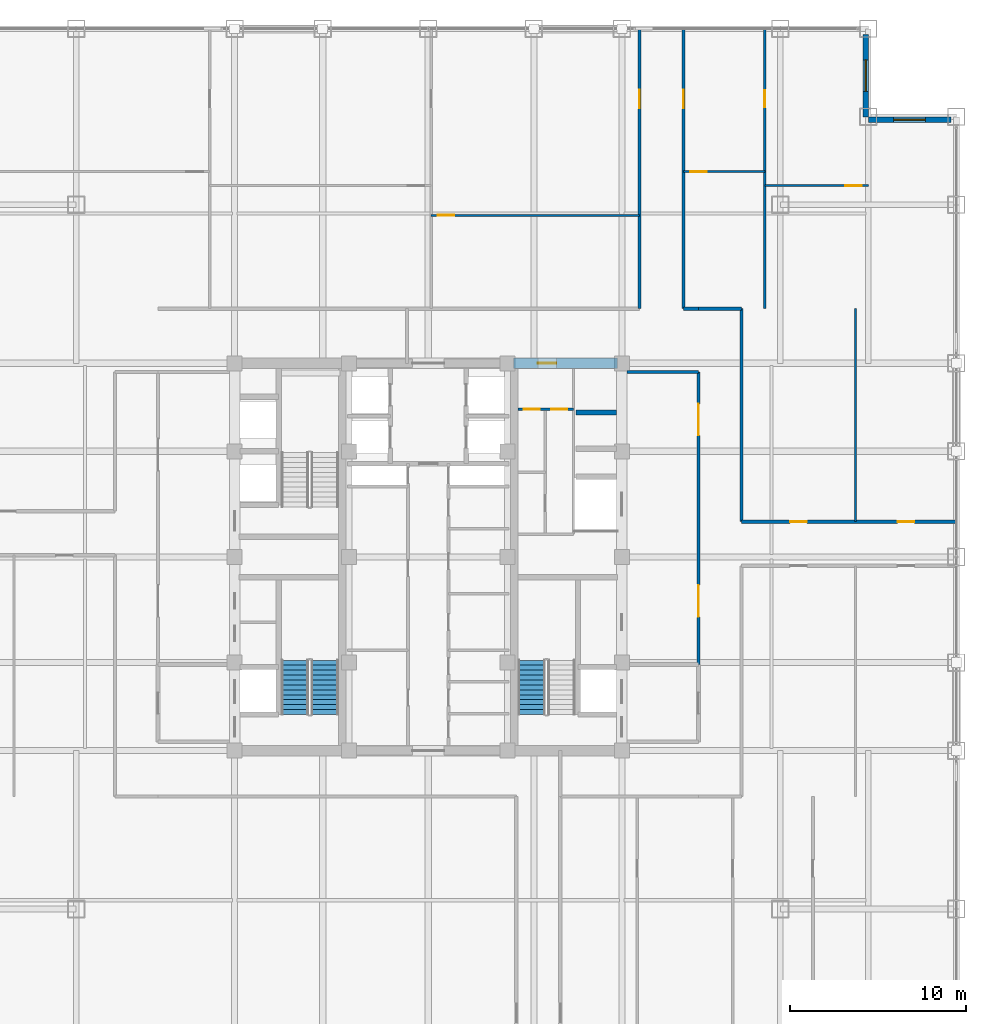
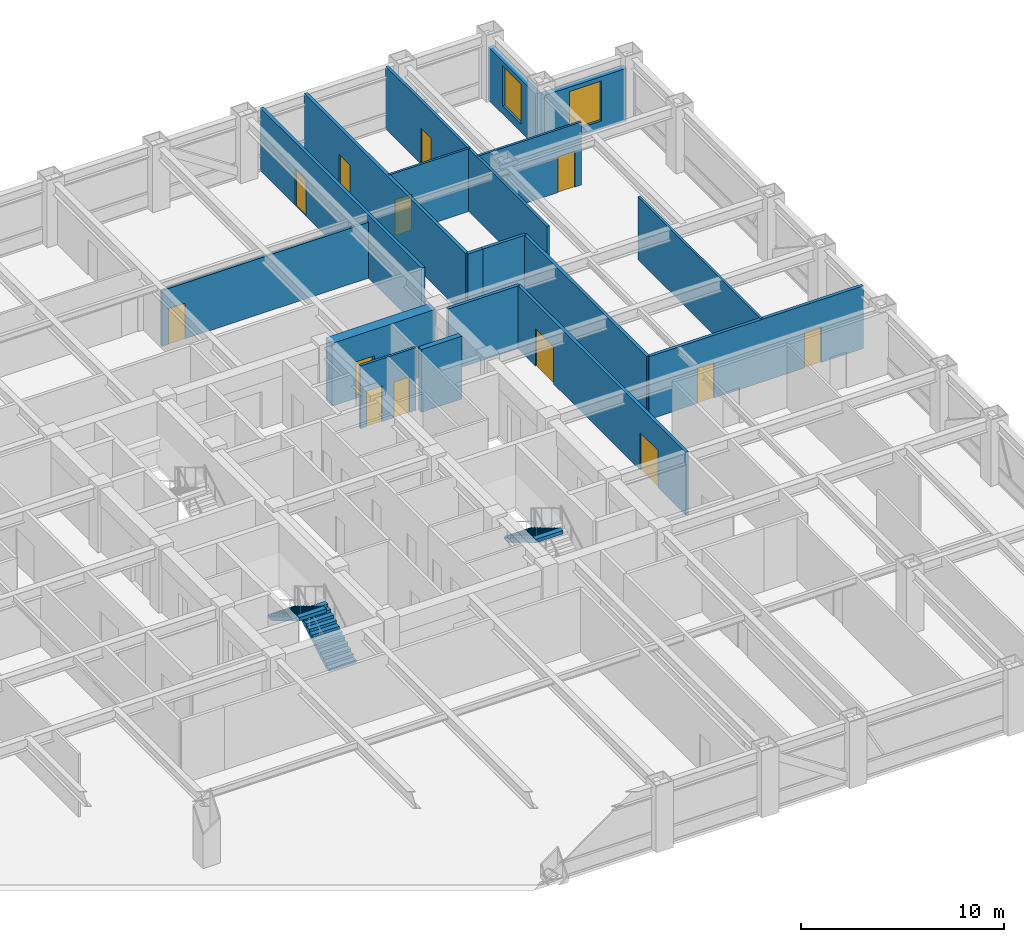
# One storey, part 23 of 25: 18 walls, 13 doors, 3 stair flights, 2 windows, 15 openings, 2 elements without a shape of their own.
"""IFC4 building model written with IfcOpenShell, lengths in metres."""

from ifc_helpers import new_model, si_unit, direction, frame, frame_2d, origin, place, context, subcontext, project, spatial, polyline, rectangle, outline, extrude, source, transform, mapped, material, layer, layer_set, type_object, element, fill, aggregate, save


model = new_model("IFC4")

# Units and contexts
model_context = context("Model", 3, precision=1e-05, world=origin(), true_north=direction((0.0, 1.0)))
body_context = subcontext(model_context, "Body", "Model", "MODEL_VIEW")
ifc_project = project(units=[si_unit("LENGTHUNIT", "METRE"), si_unit("AREAUNIT", "SQUARE_METRE"), si_unit("VOLUMEUNIT", "CUBIC_METRE"), si_unit("PLANEANGLEUNIT", "RADIAN"), si_unit("MASSUNIT", "GRAM", prefix="KILO")], contexts=[model_context])

# Site, building, storey
site_placement = place(None, origin())
site = spatial("IfcSite", under=ifc_project, at=site_placement, CompositionType="ELEMENT")
building_placement = place(site_placement, origin())
building = spatial("IfcBuilding", under=site, at=building_placement, Name="Khorayat Bourse Tower", CompositionType="ELEMENT")
storey_placement = place(building_placement, frame((0.0, 0.0, 231.10009765625)))
storey = spatial("IfcBuildingStorey", under=building, at=storey_placement, Name="L54", CompositionType="ELEMENT", Elevation=231.10009765625)

# Wall, opening, door
ifc_material_1 = material(Name="Concrete C60/75", Category="concrete")
ifc_layer_1 = layer(ifc_material_1, 0.60009765625)
ifc_layer_set_1 = layer_set([ifc_layer_1], Name="Concrete C60/75")
wall_type_1 = type_object("IfcWallType", Name="WAL-CORE-600", PredefinedType="SHEAR", material=ifc_layer_set_1)
shared_shape_1 = source(origin(), body_context, "Body", "SweptSolid", [
    extrude(rectangle(XDim=5.89990234375, YDim=0.60009765625, at=frame_2d((2.949951171875, 0.0))), origin(), (0.0, 0.0, 1.0), 3.77978515625),
])
wall_1_placement = place(storey_placement, frame((4.85009765625, 11.0, 0.0), z_axis=(0.0, 0.0, 1.0), x_axis=(1.0, 0.0, 0.0)))
wall_1 = element("IfcWall", 1, at=wall_1_placement, inside=storey, type_object=wall_type_1, Name="L54 Core Shear Wall PIER-EN", PredefinedType="SHEAR", context=body_context, shape_type="MappedRepresentation", body=[
    mapped(shared_shape_1, transform((0.0, 0.0, 0.0), scale=1.0)),
])
shared_shape_2 = source(origin(), body_context, "Body", "SweptSolid", [
    extrude(rectangle(XDim=1.050048828125, YDim=2.199951171875, at=frame_2d((0.52490234375, 1.10009765625))), frame((0.0, 0.31005859375, 0.0), z_axis=(0.0, -1.0, 0.0), x_axis=(1.0, 0.0, 0.0)), (0.0, 0.0, 1.0), 0.6201171875),
])
opening_1_placement = place(wall_1_placement, frame((1.375, 0.0, 0.0)))
opening_1 = element("IfcOpeningElement", 2, at=opening_1_placement, cuts=wall_1, Name="Opening DI-04", PredefinedType="OPENING", context=body_context, shape_type="MappedRepresentation", body=[
    mapped(shared_shape_2, transform((0.0, 0.0, 0.0), scale=1.0)),
])
ifc_material_2 = material(Name="Fire-rated oak veneer suite entrance door")
door_type_1 = type_object("IfcDoorType", Name="DR-INT-SUITE-1050", OperationType="NOTDEFINED", PredefinedType="DOOR", material=ifc_material_2)
shared_shape_3 = source(origin(), body_context, "Body", "SweptSolid", [
    extrude(rectangle(XDim=1.050048828125, YDim=2.199951171875, at=frame_2d((0.52490234375, 1.10009765625))), frame((0.0, 0.02490234375, 0.0), z_axis=(0.0, -1.0, 0.0), x_axis=(1.0, 0.0, 0.0)), (0.0, 0.0, 1.0), 0.050048828125),
])
door_1_placement = place(opening_1_placement, origin())
door_1 = element("IfcDoor", 3, at=door_1_placement, inside=storey, type_object=door_type_1, Name="L54 Core Washroom Lobby Door", OperationType="SINGLE_SWING_LEFT", OverallHeight=2.199951171875, OverallWidth=1.050048828125, PredefinedType="DOOR", context=body_context, shape_type="MappedRepresentation", body=[
    mapped(shared_shape_3, transform((0.0, 0.0, 0.0), scale=1.0)),
])
fill(opening_1, door_1)

# Wall, opening, window
ifc_material_3 = material(Name="Precast concrete C45/55", Category="concrete")
ifc_layer_2 = layer(ifc_material_3, 0.320068359375)
ifc_layer_set_2 = layer_set([ifc_layer_2], Name="Precast concrete C45/55")
wall_type_2 = type_object("IfcWallType", Name="WAL-EXT-STONE-320", PredefinedType="STANDARD", material=ifc_layer_set_2)
shared_shape_4 = source(origin(), body_context, "Body", "SweptSolid", [
    extrude(rectangle(XDim=4.679931640625, YDim=0.320068359375, at=frame_2d((2.33984375, 0.0))), origin(), (0.0, 0.0, 1.0), 3.163818359375),
])
wall_2_placement = place(storey_placement, frame((25.0, 24.840087890625, 0.0), z_axis=(0.0, 0.0, 1.0), x_axis=(1.0, 0.0, 0.0)))
wall_2 = element("IfcWall", 4, at=wall_2_placement, inside=storey, type_object=wall_type_2, Name="L54 Re-Entrant Notch Limestone Wall NE-H", PredefinedType="STANDARD", context=body_context, shape_type="MappedRepresentation", body=[
    mapped(shared_shape_4, transform((0.0, 0.0, 0.0), scale=1.0)),
])
shared_shape_5 = source(origin(), body_context, "Body", "SweptSolid", [
    extrude(rectangle(XDim=1.800048828125, YDim=2.39990234375, at=frame_2d((0.89990234375, 1.199951171875))), frame((0.0, 0.169921875, 0.0), z_axis=(0.0, -1.0, 0.0), x_axis=(1.0, 0.0, 0.0)), (0.0, 0.0, 1.0), 0.340087890625),
])
opening_2_placement = place(wall_2_placement, frame((1.43994140625, 0.0, 0.5)))
opening_2 = element("IfcOpeningElement", 5, at=opening_2_placement, cuts=wall_2, Name="Opening WN-04", PredefinedType="OPENING", context=body_context, shape_type="MappedRepresentation", body=[
    mapped(shared_shape_5, transform((0.0, 0.0, 0.0), scale=1.0)),
])
ifc_material_4 = material(Name="Low-E acoustic laminated double glazing", Category="glass")
window_type = type_object("IfcWindowType", Name="WIN-NOTCH-1800x2400", PartitioningType="SINGLE_PANEL", PredefinedType="WINDOW", material=ifc_material_4)
shared_shape_6 = source(origin(), body_context, "Body", "SweptSolid", [
    extrude(rectangle(XDim=1.800048828125, YDim=2.39990234375, at=frame_2d((0.89990234375, 1.199951171875))), frame((0.0, 0.030029296875, 0.0), z_axis=(0.0, -1.0, 0.0), x_axis=(1.0, 0.0, 0.0)), (0.0, 0.0, 1.0), 0.06005859375),
])
window_1_placement = place(opening_2_placement, origin())
window_1 = element("IfcWindow", 6, at=window_1_placement, inside=storey, type_object=window_type, Name="L54 Facade Window 1", OverallHeight=2.39990234375, OverallWidth=1.800048828125, PartitioningType="SINGLE_PANEL", PredefinedType="WINDOW", context=body_context, shape_type="MappedRepresentation", body=[
    mapped(shared_shape_6, transform((0.0, 0.0, 0.0), scale=1.0)),
])
fill(opening_2, window_1)

wall_3_placement = place(storey_placement, frame((24.840087890625, 25.0, 0.0), z_axis=(0.0, 0.0, 1.0), x_axis=(0.0, 1.0, 0.0)))
wall_3 = element("IfcWall", 7, at=wall_3_placement, inside=storey, type_object=wall_type_2, Name="L54 Re-Entrant Notch Limestone Wall NE-V", PredefinedType="STANDARD", context=body_context, shape_type="MappedRepresentation", body=[
    mapped(shared_shape_4, transform((0.0, 0.0, 0.0), scale=1.0)),
])
opening_3_placement = place(wall_3_placement, frame((1.43994140625, 0.0, 0.5)))
opening_3 = element("IfcOpeningElement", 8, at=opening_3_placement, cuts=wall_3, Name="Opening WN-04", PredefinedType="OPENING", context=body_context, shape_type="MappedRepresentation", body=[
    mapped(shared_shape_5, transform((0.0, 0.0, 0.0), scale=1.0)),
])
window_2_placement = place(opening_3_placement, origin())
window_2 = element("IfcWindow", 9, at=window_2_placement, inside=storey, type_object=window_type, Name="L54 Facade Window 1", OverallHeight=2.39990234375, OverallWidth=1.800048828125, PartitioningType="SINGLE_PANEL", PredefinedType="WINDOW", context=body_context, shape_type="MappedRepresentation", body=[
    mapped(shared_shape_6, transform((0.0, 0.0, 0.0), scale=1.0)),
])
fill(opening_3, window_2)

# Wall
ifc_material_5 = material(Name="Concrete C50/60", Category="concrete")
ifc_layer_3 = layer(ifc_material_5, 0.300048828125)
ifc_layer_set_3 = layer_set([ifc_layer_3], Name="Concrete C50/60")
wall_type_3 = type_object("IfcWallType", Name="WAL-SHAFT-300", PredefinedType="SHEAR", material=ifc_layer_set_3)
shared_shape_7 = source(origin(), body_context, "Body", "SweptSolid", [
    extrude(rectangle(XDim=2.300048828125, YDim=0.300048828125, at=frame_2d((1.14990234375, 0.0))), origin(), (0.0, 0.0, 1.0), 3.77978515625),
])
wall_4_placement = place(storey_placement, frame((8.39990234375, 8.199951171875, 0.0), z_axis=(0.0, 0.0, 1.0), x_axis=(1.0, 0.0, 0.0)))
element("IfcWall", 10, at=wall_4_placement, inside=storey, type_object=wall_type_3, Name="L54 Partition WAL-L54-EPIER-H34", PredefinedType="SHEAR", context=body_context, shape_type="MappedRepresentation", body=[
    mapped(shared_shape_7, transform((0.0, 0.0, 0.0), scale=1.0)),
])

# Wall, openings, doors
ifc_material_6 = material(Name="Moisture-resistant masonry partition", Category="masonry")
ifc_layer_4 = layer(ifc_material_6, 0.139892578125)
ifc_layer_set_4 = layer_set([ifc_layer_4], Name="Moisture-resistant masonry partition")
wall_type_4 = type_object("IfcWallType", Name="WAL-PART-WET-140", PredefinedType="PARTITIONING", material=ifc_layer_set_4)
shared_shape_8 = source(origin(), body_context, "Body", "SweptSolid", [
    extrude(rectangle(XDim=3.14990234375, YDim=0.139892578125, at=frame_2d((1.574951171875, 0.0))), origin(), (0.0, 0.0, 1.0), 3.77978515625),
])
wall_5_placement = place(storey_placement, frame((5.10009765625, 8.39990234375, 0.0), z_axis=(0.0, 0.0, 1.0), x_axis=(1.0, 0.0, 0.0)))
wall_5 = element("IfcWall", 11, at=wall_5_placement, inside=storey, type_object=wall_type_4, Name="L54 Partition WAL-L54-ECW-TOP", PredefinedType="PARTITIONING", context=body_context, shape_type="MappedRepresentation", body=[
    mapped(shared_shape_8, transform((0.0, 0.0, 0.0), scale=1.0)),
])
shared_shape_9 = source(origin(), body_context, "Body", "SweptSolid", [
    extrude(rectangle(XDim=0.89990234375, YDim=2.14990234375, at=frame_2d((0.449951171875, 1.074951171875))), frame((0.0, 0.079833984375, 0.0), z_axis=(0.0, -1.0, 0.0), x_axis=(1.0, 0.0, 0.0)), (0.0, 0.0, 1.0), 0.159912109375),
])
opening_4_placement = place(wall_5_placement, frame((0.330078125, 0.0, 0.0)))
opening_4 = element("IfcOpeningElement", 12, at=opening_4_placement, cuts=wall_5, Name="Opening DI-06", PredefinedType="OPENING", context=body_context, shape_type="MappedRepresentation", body=[
    mapped(shared_shape_9, transform((0.0, 0.0, 0.0), scale=1.0)),
])
opening_5_placement = place(wall_5_placement, frame((1.89990234375, 0.0, 0.0)))
opening_5 = element("IfcOpeningElement", 13, at=opening_5_placement, cuts=wall_5, Name="Opening DI-06", PredefinedType="OPENING", context=body_context, shape_type="MappedRepresentation", body=[
    mapped(shared_shape_9, transform((0.0, 0.0, 0.0), scale=1.0)),
])
ifc_material_7 = material(Name="Moisture-resistant laminate washroom door")
door_type_2 = type_object("IfcDoorType", Name="DR-INT-WC-900", OperationType="NOTDEFINED", PredefinedType="DOOR", material=ifc_material_7)
shared_shape_10 = source(origin(), body_context, "Body", "SweptSolid", [
    extrude(rectangle(XDim=0.89990234375, YDim=2.14990234375, at=frame_2d((0.449951171875, 1.074951171875))), frame((0.0, 0.02490234375, 0.0), z_axis=(0.0, -1.0, 0.0), x_axis=(1.0, 0.0, 0.0)), (0.0, 0.0, 1.0), 0.050048828125),
])
door_2_placement = place(opening_4_placement, origin())
door_2 = element("IfcDoor", 14, at=door_2_placement, inside=storey, type_object=door_type_2, Name="L54 Accessible WC Door", OperationType="SINGLE_SWING_LEFT", OverallHeight=2.14990234375, OverallWidth=0.89990234375, PredefinedType="DOOR", context=body_context, shape_type="MappedRepresentation", body=[
    mapped(shared_shape_10, transform((0.0, 0.0, 0.0), scale=1.0)),
])
fill(opening_4, door_2)
door_3_placement = place(opening_5_placement, origin())
door_3 = element("IfcDoor", 15, at=door_3_placement, inside=storey, type_object=door_type_2, Name="L54 Shared Washroom Door", OperationType="SINGLE_SWING_RIGHT", OverallHeight=2.14990234375, OverallWidth=0.89990234375, PredefinedType="DOOR", context=body_context, shape_type="MappedRepresentation", body=[
    mapped(shared_shape_10, transform((0.0, 0.0, 0.0), scale=1.0)),
])
fill(opening_5, door_3)

# Wall
ifc_material_8 = material(Name="Gypsum plasterboard acoustic stud wall")
ifc_layer_5 = layer(ifc_material_8, 0.179931640625)
ifc_layer_set_5 = layer_set([ifc_layer_5], Name="Gypsum plasterboard acoustic stud wall")
wall_type_5 = type_object("IfcWallType", Name="WAL-PART-CORR-180", PredefinedType="PARTITIONING", material=ifc_layer_set_5)
shared_shape_11 = source(origin(), body_context, "Body", "SweptSolid", [
    extrude(rectangle(XDim=4.050048828125, YDim=0.179931640625, at=frame_2d((2.02490234375, 0.0))), origin(), (0.0, 0.0, 1.0), 3.77978515625),
])
wall_6_placement = place(storey_placement, frame((11.300048828125, 10.5, 0.0), z_axis=(0.0, 0.0, 1.0), x_axis=(1.0, 0.0, 0.0)))
element("IfcWall", 16, at=wall_6_placement, inside=storey, type_object=wall_type_5, Name="L54 Partition WAL-L54-ELOB-N", PredefinedType="PARTITIONING", context=body_context, shape_type="MappedRepresentation", body=[
    mapped(shared_shape_11, transform((0.0, 0.0, 0.0), scale=1.0)),
])

# Wall, openings, doors
shared_shape_12 = source(origin(), body_context, "Body", "SweptSolid", [
    extrude(rectangle(XDim=16.60009765625, YDim=0.179931640625, at=frame_2d((8.300048828125, 0.0))), origin(), (0.0, 0.0, 1.0), 3.77978515625),
])
wall_7_placement = place(storey_placement, frame((15.35009765625, -6.10009765625, 0.0), z_axis=(0.0, 0.0, 1.0), x_axis=(0.0, 1.0, 0.0)))
wall_7 = element("IfcWall", 17, at=wall_7_placement, inside=storey, type_object=wall_type_5, Name="L54 Partition WAL-L54-ELOB-E", PredefinedType="PARTITIONING", context=body_context, shape_type="MappedRepresentation", body=[
    mapped(shared_shape_12, transform((0.0, 0.0, 0.0), scale=1.0)),
])
shared_shape_13 = source(origin(), body_context, "Body", "SweptSolid", [
    extrude(rectangle(XDim=1.800048828125, YDim=2.25, at=frame_2d((0.89990234375, 1.125))), frame((0.0, 0.099853515625, 0.0), z_axis=(0.0, -1.0, 0.0), x_axis=(1.0, 0.0, 0.0)), (0.0, 0.0, 1.0), 0.199951171875),
])
opening_6_placement = place(wall_7_placement, frame((2.699951171875, 0.0, 0.0)))
opening_6 = element("IfcOpeningElement", 18, at=opening_6_placement, cuts=wall_7, Name="Opening DI-03", PredefinedType="OPENING", context=body_context, shape_type="MappedRepresentation", body=[
    mapped(shared_shape_13, transform((0.0, 0.0, 0.0), scale=1.0)),
])
opening_7_placement = place(wall_7_placement, frame((13.0, 0.0, 0.0)))
opening_7 = element("IfcOpeningElement", 19, at=opening_7_placement, cuts=wall_7, Name="Opening DI-03", PredefinedType="OPENING", context=body_context, shape_type="MappedRepresentation", body=[
    mapped(shared_shape_13, transform((0.0, 0.0, 0.0), scale=1.0)),
])
ifc_material_9 = material(Name="Fire-rated hardwood vision-panel double leaf", Category="wood")
door_type_3 = type_object("IfcDoorType", Name="DR-INT-CORR-1800", OperationType="NOTDEFINED", PredefinedType="DOOR", material=ifc_material_9)
shared_shape_14 = source(origin(), body_context, "Body", "SweptSolid", [
    extrude(rectangle(XDim=1.800048828125, YDim=2.25, at=frame_2d((0.89990234375, 1.125))), frame((0.0, 0.02490234375, 0.0), z_axis=(0.0, -1.0, 0.0), x_axis=(1.0, 0.0, 0.0)), (0.0, 0.0, 1.0), 0.050048828125),
])
door_4_placement = place(opening_6_placement, origin())
door_4 = element("IfcDoor", 20, at=door_4_placement, inside=storey, type_object=door_type_3, Name="L54 East Core Lobby South Door", OperationType="SINGLE_SWING_RIGHT", OverallHeight=2.25, OverallWidth=1.800048828125, PredefinedType="DOOR", context=body_context, shape_type="MappedRepresentation", body=[
    mapped(shared_shape_14, transform((0.0, 0.0, 0.0), scale=1.0)),
])
fill(opening_6, door_4)
door_5_placement = place(opening_7_placement, origin())
door_5 = element("IfcDoor", 21, at=door_5_placement, inside=storey, type_object=door_type_3, Name="L54 East Core Lobby North Door", OperationType="SINGLE_SWING_LEFT", OverallHeight=2.25, OverallWidth=1.800048828125, PredefinedType="DOOR", context=body_context, shape_type="MappedRepresentation", body=[
    mapped(shared_shape_14, transform((0.0, 0.0, 0.0), scale=1.0)),
])
fill(opening_7, door_5)

# Walls
shared_shape_15 = source(origin(), body_context, "Body", "SweptSolid", [
    extrude(rectangle(XDim=2.449951171875, YDim=0.179931640625, at=frame_2d((1.22509765625, 0.0))), origin(), (0.0, 0.0, 1.0), 3.77978515625),
])
wall_8_placement = place(storey_placement, frame((15.35009765625, 14.10009765625, 0.0), z_axis=(0.0, 0.0, 1.0), x_axis=(1.0, 0.0, 0.0)))
element("IfcWall", 22, at=wall_8_placement, inside=storey, type_object=wall_type_5, Name="L54 Partition WAL-L54-C2-EN", PredefinedType="PARTITIONING", context=body_context, shape_type="MappedRepresentation", body=[
    mapped(shared_shape_15, transform((0.0, 0.0, 0.0), scale=1.0)),
])
shared_shape_16 = source(origin(), body_context, "Body", "SweptSolid", [
    extrude(rectangle(XDim=0.85009765625, YDim=0.179931640625, at=frame_2d((0.425048828125, 0.0))), origin(), (0.0, 0.0, 1.0), 3.77978515625),
])
wall_9_placement = place(storey_placement, frame((14.5, 14.10009765625, 0.0), z_axis=(0.0, 0.0, 1.0), x_axis=(1.0, 0.0, 0.0)))
element("IfcWall", 23, at=wall_9_placement, inside=storey, type_object=wall_type_5, Name="L54 Partition WAL-L54-QNE-HC", PredefinedType="PARTITIONING", context=body_context, shape_type="MappedRepresentation", body=[
    mapped(shared_shape_16, transform((0.0, 0.0, 0.0), scale=1.0)),
])

# Wall, openings, doors
shared_shape_17 = source(origin(), body_context, "Body", "SweptSolid", [
    extrude(rectangle(XDim=12.199951171875, YDim=0.179931640625, at=frame_2d((6.10009765625, 0.0))), origin(), (0.0, 0.0, 1.0), 3.77978515625),
])
wall_10_placement = place(storey_placement, frame((17.800048828125, 2.0, 0.0), z_axis=(0.0, 0.0, 1.0), x_axis=(1.0, 0.0, 0.0)))
wall_10 = element("IfcWall", 24, at=wall_10_placement, inside=storey, type_object=wall_type_5, Name="L54 Partition WAL-L54-EN-SPK", PredefinedType="PARTITIONING", context=body_context, shape_type="MappedRepresentation", body=[
    mapped(shared_shape_17, transform((0.0, 0.0, 0.0), scale=1.0)),
])
shared_shape_18 = source(origin(), body_context, "Body", "SweptSolid", [
    extrude(rectangle(XDim=0.949951171875, YDim=2.14990234375, at=frame_2d((0.47509765625, 1.074951171875))), frame((0.0, 0.099853515625, 0.0), z_axis=(0.0, -1.0, 0.0), x_axis=(1.0, 0.0, 0.0)), (0.0, 0.0, 1.0), 0.199951171875),
])
opening_8_placement = place(wall_10_placement, frame((2.758056640625, 0.0, 0.0)))
opening_8 = element("IfcOpeningElement", 25, at=opening_8_placement, cuts=wall_10, Name="Opening DI-05", PredefinedType="OPENING", context=body_context, shape_type="MappedRepresentation", body=[
    mapped(shared_shape_18, transform((0.0, 0.0, 0.0), scale=1.0)),
])
opening_9_placement = place(wall_10_placement, frame((8.85791015625, 0.0, 0.0)))
opening_9 = element("IfcOpeningElement", 26, at=opening_9_placement, cuts=wall_10, Name="Opening DI-05", PredefinedType="OPENING", context=body_context, shape_type="MappedRepresentation", body=[
    mapped(shared_shape_18, transform((0.0, 0.0, 0.0), scale=1.0)),
])
ifc_material_10 = material(Name="Acoustic oak veneer office door")
door_type_4 = type_object("IfcDoorType", Name="DR-INT-OFFICE-950", OperationType="NOTDEFINED", PredefinedType="DOOR", material=ifc_material_10)
shared_shape_19 = source(origin(), body_context, "Body", "SweptSolid", [
    extrude(rectangle(XDim=0.949951171875, YDim=2.14990234375, at=frame_2d((0.47509765625, 1.074951171875))), frame((0.0, 0.02490234375, 0.0), z_axis=(0.0, -1.0, 0.0), x_axis=(1.0, 0.0, 0.0)), (0.0, 0.0, 1.0), 0.050048828125),
])
door_6_placement = place(opening_8_placement, origin())
door_6 = element("IfcDoor", 27, at=door_6_placement, inside=storey, type_object=door_type_4, Name="L54 Staff Tea Pantry ENA Door", OperationType="SINGLE_SWING_LEFT", OverallHeight=2.14990234375, OverallWidth=0.949951171875, PredefinedType="DOOR", context=body_context, shape_type="MappedRepresentation", body=[
    mapped(shared_shape_19, transform((0.0, 0.0, 0.0), scale=1.0)),
])
fill(opening_8, door_6)
door_7_placement = place(opening_9_placement, origin())
door_7 = element("IfcDoor", 28, at=door_7_placement, inside=storey, type_object=door_type_4, Name="L54 Quantitative Research Study ENB Door", OperationType="SINGLE_SWING_RIGHT", OverallHeight=2.14990234375, OverallWidth=0.949951171875, PredefinedType="DOOR", context=body_context, shape_type="MappedRepresentation", body=[
    mapped(shared_shape_19, transform((0.0, 0.0, 0.0), scale=1.0)),
])
fill(opening_9, door_7)

# Wall, opening, door
shared_shape_20 = source(origin(), body_context, "Body", "SweptSolid", [
    extrude(rectangle(XDim=15.89990234375, YDim=0.179931640625, at=frame_2d((7.949951171875, 0.0))), origin(), (0.0, 0.0, 1.0), 3.77978515625),
])
wall_11_placement = place(storey_placement, frame((12.0, 14.10009765625, 0.0), z_axis=(0.0, 0.0, 1.0), x_axis=(0.0, 1.0, 0.0)))
wall_11 = element("IfcWall", 29, at=wall_11_placement, inside=storey, type_object=wall_type_5, Name="L54 Partition WAL-L54-QNW-SPK", PredefinedType="PARTITIONING", context=body_context, shape_type="MappedRepresentation", body=[
    mapped(shared_shape_20, transform((0.0, 0.0, 0.0), scale=1.0)),
])
shared_shape_21 = source(origin(), body_context, "Body", "SweptSolid", [
    extrude(rectangle(XDim=1.050048828125, YDim=2.199951171875, at=frame_2d((0.52490234375, 1.10009765625))), frame((0.0, 0.099853515625, 0.0), z_axis=(0.0, -1.0, 0.0), x_axis=(1.0, 0.0, 0.0)), (0.0, 0.0, 1.0), 0.199951171875),
])
opening_10_placement = place(wall_11_placement, frame((11.39990234375, 0.0, 0.0)))
opening_10 = element("IfcOpeningElement", 30, at=opening_10_placement, cuts=wall_11, Name="Opening DI-04", PredefinedType="OPENING", context=body_context, shape_type="MappedRepresentation", body=[
    mapped(shared_shape_21, transform((0.0, 0.0, 0.0), scale=1.0)),
])
door_8_placement = place(opening_10_placement, origin())
door_8 = element("IfcDoor", 31, at=door_8_placement, inside=storey, type_object=door_type_1, Name="L54 North-West Radial Spoke Entry", OperationType="SINGLE_SWING_LEFT", OverallHeight=2.199951171875, OverallWidth=1.050048828125, PredefinedType="DOOR", context=body_context, shape_type="MappedRepresentation", body=[
    mapped(shared_shape_3, transform((0.0, 0.0, 0.0), scale=1.0)),
])
fill(opening_10, door_8)

wall_12_placement = place(storey_placement, frame((14.5, 14.10009765625, 0.0), z_axis=(0.0, 0.0, 1.0), x_axis=(0.0, 1.0, 0.0)))
wall_12 = element("IfcWall", 32, at=wall_12_placement, inside=storey, type_object=wall_type_5, Name="L54 Partition WAL-L54-QNE-SPK", PredefinedType="PARTITIONING", context=body_context, shape_type="MappedRepresentation", body=[
    mapped(shared_shape_20, transform((0.0, 0.0, 0.0), scale=1.0)),
])
opening_11_placement = place(wall_12_placement, frame((11.39990234375, 0.0, 0.0)))
opening_11 = element("IfcOpeningElement", 33, at=opening_11_placement, cuts=wall_12, Name="Opening DI-04", PredefinedType="OPENING", context=body_context, shape_type="MappedRepresentation", body=[
    mapped(shared_shape_21, transform((0.0, 0.0, 0.0), scale=1.0)),
])
door_9_placement = place(opening_11_placement, origin())
door_9 = element("IfcDoor", 34, at=door_9_placement, inside=storey, type_object=door_type_1, Name="L54 North-East Radial Spoke Entry", OperationType="SINGLE_SWING_LEFT", OverallHeight=2.199951171875, OverallWidth=1.050048828125, PredefinedType="DOOR", context=body_context, shape_type="MappedRepresentation", body=[
    mapped(shared_shape_3, transform((0.0, 0.0, 0.0), scale=1.0)),
])
fill(opening_11, door_9)

ifc_material_11 = material(Name="Gypsum plasterboard twin-frame partition")
ifc_layer_6 = layer(ifc_material_11, 0.14990234375)
ifc_layer_set_6 = layer_set([ifc_layer_6], Name="Gypsum plasterboard twin-frame partition")
wall_type_6 = type_object("IfcWallType", Name="WAL-PART-SUITE-150", PredefinedType="PARTITIONING", material=ifc_layer_set_6)
shared_shape_22 = source(origin(), body_context, "Body", "SweptSolid", [
    extrude(rectangle(XDim=15.89990234375, YDim=0.14990234375, at=frame_2d((7.949951171875, 0.0))), origin(), (0.0, 0.0, 1.0), 3.77978515625),
])
wall_13_placement = place(storey_placement, frame((19.1201171875, 14.10009765625, 0.0), z_axis=(0.0, 0.0, 1.0), x_axis=(0.0, 1.0, 0.0)))
wall_13 = element("IfcWall", 35, at=wall_13_placement, inside=storey, type_object=wall_type_6, Name="L54 Partition WAL-L54-QNEDV-1", PredefinedType="PARTITIONING", context=body_context, shape_type="MappedRepresentation", body=[
    mapped(shared_shape_22, transform((0.0, 0.0, 0.0), scale=1.0)),
])
shared_shape_23 = source(origin(), body_context, "Body", "SweptSolid", [
    extrude(rectangle(XDim=0.949951171875, YDim=2.14990234375, at=frame_2d((0.47509765625, 1.074951171875))), frame((0.0, 0.0849609375, 0.0), z_axis=(0.0, -1.0, 0.0), x_axis=(1.0, 0.0, 0.0)), (0.0, 0.0, 1.0), 0.169921875),
])
opening_12_placement = place(wall_13_placement, frame((11.449951171875, 0.0, 0.0)))
opening_12 = element("IfcOpeningElement", 36, at=opening_12_placement, cuts=wall_13, Name="Opening DI-05", PredefinedType="OPENING", context=body_context, shape_type="MappedRepresentation", body=[
    mapped(shared_shape_23, transform((0.0, 0.0, 0.0), scale=1.0)),
])
door_10_placement = place(opening_12_placement, origin())
door_10 = element("IfcDoor", 37, at=door_10_placement, inside=storey, type_object=door_type_4, Name="L54 North-East Suite Link 1", OperationType="SINGLE_SWING_RIGHT", OverallHeight=2.14990234375, OverallWidth=0.949951171875, PredefinedType="DOOR", context=body_context, shape_type="MappedRepresentation", body=[
    mapped(shared_shape_19, transform((0.0, 0.0, 0.0), scale=1.0)),
])
fill(opening_12, door_10)

# Wall
shared_shape_24 = source(origin(), body_context, "Body", "SweptSolid", [
    extrude(rectangle(XDim=12.10009765625, YDim=0.179931640625, at=frame_2d((6.050048828125, 0.0))), origin(), (0.0, 0.0, 1.0), 3.77978515625),
])
wall_14_placement = place(storey_placement, frame((17.800048828125, 2.0, 0.0), z_axis=(0.0, 0.0, 1.0), x_axis=(0.0, 1.0, 0.0)))
element("IfcWall", 38, at=wall_14_placement, inside=storey, type_object=wall_type_5, Name="L54 Partition WAL-L54-EN-IN", PredefinedType="PARTITIONING", context=body_context, shape_type="MappedRepresentation", body=[
    mapped(shared_shape_24, transform((0.0, 0.0, 0.0), scale=1.0)),
])

# Wall, opening, door
ifc_material_12 = material(Name="Gypsum plasterboard partition")
ifc_layer_7 = layer(ifc_material_12, 0.125)
ifc_layer_set_7 = layer_set([ifc_layer_7], Name="Gypsum plasterboard partition")
wall_type_7 = type_object("IfcWallType", Name="WAL-PART-ROOM-125", PredefinedType="PARTITIONING", material=ifc_layer_set_7)
shared_shape_25 = source(origin(), body_context, "Body", "SweptSolid", [
    extrude(rectangle(XDim=11.840087890625, YDim=0.125, at=frame_2d((5.919921875, 0.0))), origin(), (0.0, 0.0, 1.0), 3.36279296875),
])
wall_15_placement = place(storey_placement, frame((0.159912109375, 19.40087890625, 0.0), z_axis=(0.0, 0.0, 1.0), x_axis=(1.0, 0.0, 0.0)))
wall_15 = element("IfcWall", 39, at=wall_15_placement, inside=storey, type_object=wall_type_7, Name="L54 Partition WAL-L54-QNWDP-3", PredefinedType="PARTITIONING", context=body_context, shape_type="MappedRepresentation", body=[
    mapped(shared_shape_25, transform((0.0, 0.0, 0.0), scale=1.0)),
])
shared_shape_26 = source(origin(), body_context, "Body", "SweptSolid", [
    extrude(rectangle(XDim=0.949951171875, YDim=2.14990234375, at=frame_2d((0.47509765625, 1.074951171875))), frame((0.0, 0.072509765625, 0.0), z_axis=(0.0, -1.0, 0.0), x_axis=(1.0, 0.0, 0.0)), (0.0, 0.0, 1.0), 0.14501953125),
])
opening_13_placement = place(wall_15_placement, frame((0.375, 0.0, 0.0)))
opening_13 = element("IfcOpeningElement", 40, at=opening_13_placement, cuts=wall_15, Name="Opening DI-05", PredefinedType="OPENING", context=body_context, shape_type="MappedRepresentation", body=[
    mapped(shared_shape_26, transform((0.0, 0.0, 0.0), scale=1.0)),
])
door_11_placement = place(opening_13_placement, origin())
door_11 = element("IfcDoor", 41, at=door_11_placement, inside=storey, type_object=door_type_4, Name="L54 North-West Issuer Listing Showroom 3B Door", OperationType="SINGLE_SWING_RIGHT", OverallHeight=2.14990234375, OverallWidth=0.949951171875, PredefinedType="DOOR", context=body_context, shape_type="MappedRepresentation", body=[
    mapped(shared_shape_19, transform((0.0, 0.0, 0.0), scale=1.0)),
])
fill(opening_13, door_11)

shared_shape_27 = source(origin(), body_context, "Body", "SweptSolid", [
    extrude(rectangle(XDim=4.6201171875, YDim=0.125, at=frame_2d((2.31005859375, 0.0))), origin(), (0.0, 0.0, 1.0), 3.77978515625),
])
wall_16_placement = place(storey_placement, frame((14.5, 21.89111328125, 0.0), z_axis=(0.0, 0.0, 1.0), x_axis=(1.0, 0.0, 0.0)))
wall_16 = element("IfcWall", 42, at=wall_16_placement, inside=storey, type_object=wall_type_7, Name="L54 Partition WAL-L54-QNEDP-1", PredefinedType="PARTITIONING", context=body_context, shape_type="MappedRepresentation", body=[
    mapped(shared_shape_27, transform((0.0, 0.0, 0.0), scale=1.0)),
])
opening_14_placement = place(wall_16_placement, frame((0.375, 0.0, 0.0)))
opening_14 = element("IfcOpeningElement", 43, at=opening_14_placement, cuts=wall_16, Name="Opening DI-05", PredefinedType="OPENING", context=body_context, shape_type="MappedRepresentation", body=[
    mapped(shared_shape_26, transform((0.0, 0.0, 0.0), scale=1.0)),
])
door_12_placement = place(opening_14_placement, origin())
door_12 = element("IfcDoor", 44, at=door_12_placement, inside=storey, type_object=door_type_4, Name="L54 North-East Executive Boardroom 1B Door", OperationType="SINGLE_SWING_RIGHT", OverallHeight=2.14990234375, OverallWidth=0.949951171875, PredefinedType="DOOR", context=body_context, shape_type="MappedRepresentation", body=[
    mapped(shared_shape_19, transform((0.0, 0.0, 0.0), scale=1.0)),
])
fill(opening_14, door_12)

shared_shape_28 = source(origin(), body_context, "Body", "SweptSolid", [
    extrude(rectangle(XDim=5.8798828125, YDim=0.125, at=frame_2d((2.93994140625, 0.0))), origin(), (0.0, 0.0, 1.0), 3.77978515625),
])
wall_17_placement = place(storey_placement, frame((19.1201171875, 21.095947265625, 0.0), z_axis=(0.0, 0.0, 1.0), x_axis=(1.0, 0.0, 0.0)))
wall_17 = element("IfcWall", 45, at=wall_17_placement, inside=storey, type_object=wall_type_7, Name="L54 Partition WAL-L54-QNEDP-2", PredefinedType="PARTITIONING", context=body_context, shape_type="MappedRepresentation", body=[
    mapped(shared_shape_28, transform((0.0, 0.0, 0.0), scale=1.0)),
])
opening_15_placement = place(wall_17_placement, frame((4.554931640625, 0.0, 0.0)))
opening_15 = element("IfcOpeningElement", 46, at=opening_15_placement, cuts=wall_17, Name="Opening DI-05", PredefinedType="OPENING", context=body_context, shape_type="MappedRepresentation", body=[
    mapped(shared_shape_26, transform((0.0, 0.0, 0.0), scale=1.0)),
])
door_13_placement = place(opening_15_placement, origin())
door_13 = element("IfcDoor", 47, at=door_13_placement, inside=storey, type_object=door_type_4, Name="L54 North-East Financial Training Classroom 2B Door", OperationType="SINGLE_SWING_LEFT", OverallHeight=2.14990234375, OverallWidth=0.949951171875, PredefinedType="DOOR", context=body_context, shape_type="MappedRepresentation", body=[
    mapped(shared_shape_19, transform((0.0, 0.0, 0.0), scale=1.0)),
])
fill(opening_15, door_13)

# Wall
shared_shape_29 = source(origin(), body_context, "Body", "SweptSolid", [
    extrude(rectangle(XDim=12.10009765625, YDim=0.125, at=frame_2d((6.050048828125, 0.0))), origin(), (0.0, 0.0, 1.0), 3.77978515625),
])
wall_18_placement = place(storey_placement, frame((24.26611328125, 2.0, 0.0), z_axis=(0.0, 0.0, 1.0), x_axis=(0.0, 1.0, 0.0)))
element("IfcWall", 48, at=wall_18_placement, inside=storey, type_object=wall_type_7, Name="L54 Partition WAL-L54-EN-DV", PredefinedType="PARTITIONING", context=body_context, shape_type="MappedRepresentation", body=[
    mapped(shared_shape_29, transform((0.0, 0.0, 0.0), scale=1.0)),
])

# Stair, stair flights
ifc_material_13 = material(Name="Concrete C40/50", Category="concrete")
stair_type = type_object("IfcStairType", Name="STR-CORE-1550", PredefinedType="HALF_TURN_STAIR", material=ifc_material_13)
stair_1_placement = place(storey_placement, origin())
stair_1 = element("IfcStair", 49, at=stair_1_placement, inside=storey, type_object=stair_type, Name="L54 Exit Stair ST-1", PredefinedType="HALF_TURN_STAIR")
stair_flight_type = type_object("IfcStairFlightType", Name="FLT-CORE-1550", PredefinedType="STRAIGHT", material=ifc_material_13)
shared_shape_30 = source(origin(), body_context, "Body", "SweptSolid", [
    extrude(outline(polyline([(0.0, 0.0), (0.0, 0.166748046875), (0.280029296875, 0.166748046875), (0.280029296875, 0.333251953125), (0.56005859375, 0.333251953125), (0.56005859375, 0.5), (0.840087890625, 0.5), (0.840087890625, 0.666748046875), (1.1201171875, 0.666748046875), (1.1201171875, 0.833251953125), (1.39990234375, 0.833251953125), (1.39990234375, 1.0), (1.679931640625, 1.0), (1.679931640625, 1.166748046875), (1.9599609375, 1.166748046875), (1.9599609375, 1.333251953125), (2.239990234375, 1.333251953125), (2.239990234375, 1.5), (2.52001953125, 1.5), (2.52001953125, 1.666748046875), (2.800048828125, 1.666748046875), (2.800048828125, 1.833251953125), (3.080078125, 1.833251953125), (3.080078125, 2.0), (3.080078125, 1.6240234375), (0.351806640625, 0.0), (0.0, 0.0)])), frame((0.0, 0.77490234375, 0.0), z_axis=(0.0, -1.0, 0.0), x_axis=(1.0, 0.0, 0.0)), (0.0, 0.0, 1.0), 1.550048828125),
])
stair_flight_1_placement = place(storey_placement, frame((-5.875, -8.949951171875, 0.0), z_axis=(0.0, 0.0, 1.0), x_axis=(0.0, 1.0, 0.0)))
stair_flight_1 = element("IfcStairFlight", 50, at=stair_flight_1_placement, type_object=stair_flight_type, Name="ST-1 flight 1", NumberOfRisers=12, NumberOfTreads=11, PredefinedType="STRAIGHT", RiserHeight=0.166666667, TreadLength=0.28, context=body_context, shape_type="MappedRepresentation", body=[
    mapped(shared_shape_30, transform((0.0, 0.0, 0.0), scale=1.0)),
])
stair_flight_2_placement = place(storey_placement, frame((-7.574951171875, -5.8701171875, 2.0), z_axis=(0.0, 0.0, 1.0), x_axis=(0.0, -1.0, 0.0)))
stair_flight_2 = element("IfcStairFlight", 51, at=stair_flight_2_placement, type_object=stair_flight_type, Name="ST-1 flight 2", NumberOfRisers=12, NumberOfTreads=11, PredefinedType="STRAIGHT", RiserHeight=0.166666667, TreadLength=0.28, context=body_context, shape_type="MappedRepresentation", body=[
    mapped(shared_shape_30, transform((0.0, 0.0, 0.0), scale=1.0)),
])
aggregate(stair_1, [stair_flight_1, stair_flight_2])

# Stair, stair flight
stair_2_placement = place(storey_placement, origin())
stair_2 = element("IfcStair", 52, at=stair_2_placement, inside=storey, type_object=stair_type, Name="L54 Exit Stair ST-3", PredefinedType="HALF_TURN_STAIR")
stair_flight_3_placement = place(storey_placement, frame((5.875, -5.8701171875, 2.0), z_axis=(0.0, 0.0, 1.0), x_axis=(0.0, -1.0, 0.0)))
stair_flight_3 = element("IfcStairFlight", 53, at=stair_flight_3_placement, type_object=stair_flight_type, Name="ST-3 flight 2", NumberOfRisers=12, NumberOfTreads=11, PredefinedType="STRAIGHT", RiserHeight=0.166666667, TreadLength=0.28, context=body_context, shape_type="MappedRepresentation", body=[
    mapped(shared_shape_30, transform((0.0, 0.0, 0.0), scale=1.0)),
])
aggregate(stair_2, [stair_flight_3])

save(model, "model.ifc")
